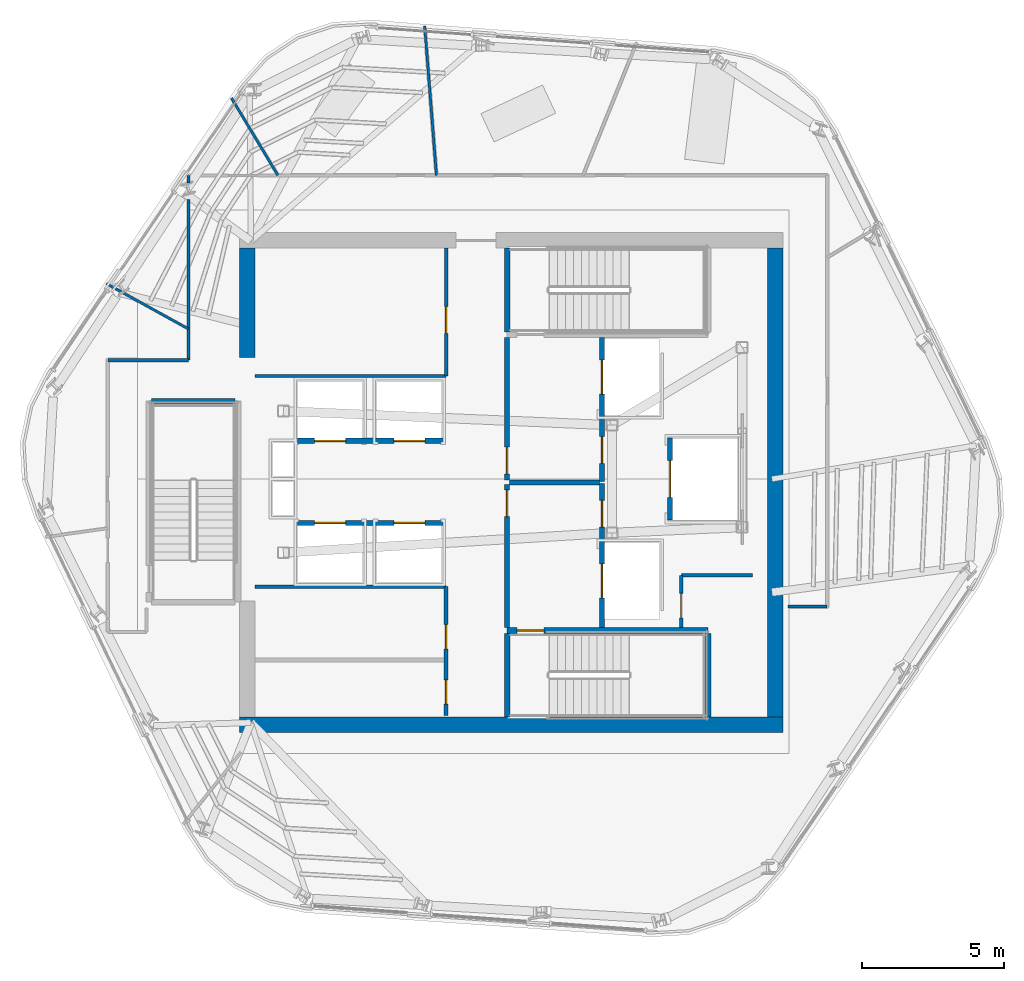
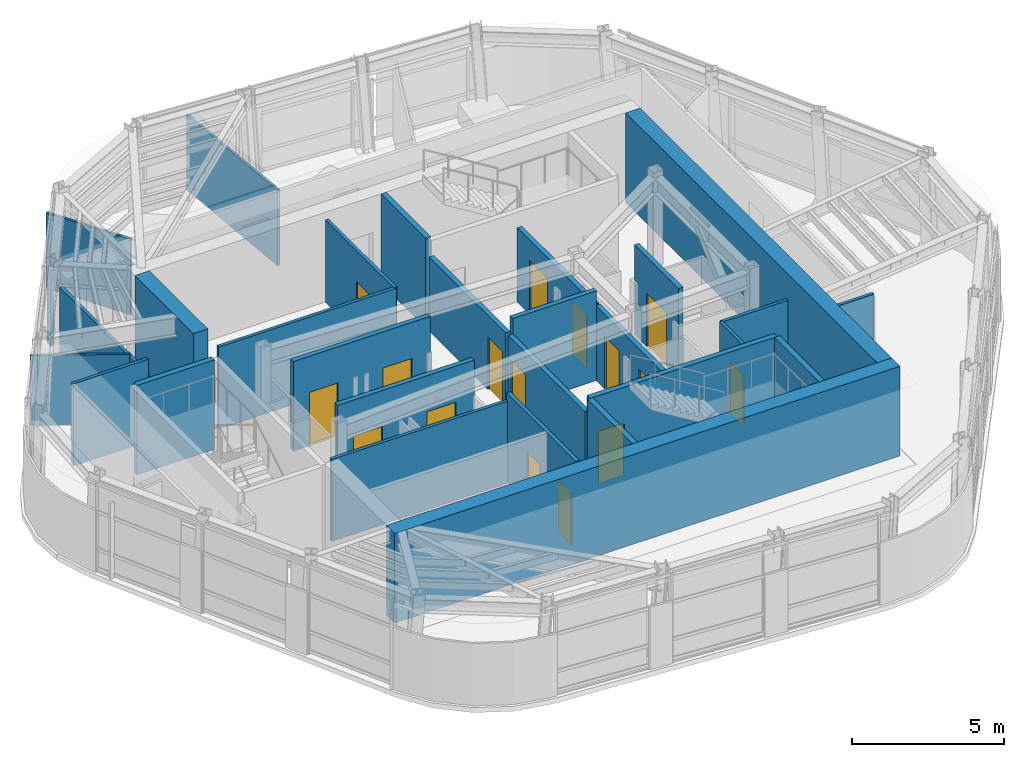
# One storey, part 6 of 11: 29 walls, 16 doors, 16 openings.
"""IFC4 building model written with IfcOpenShell, lengths in metres."""

from ifc_helpers import new_model, si_unit, direction, frame, frame_2d, origin, place, context, subcontext, project, spatial, rectangle, extrude, material, layer, layer_set, type_object, element, fill, save


model = new_model("IFC4")

# Units and contexts
model_context = context("Model", 3, precision=1e-05, world=origin(), true_north=direction((0.0, 1.0)))
body_context = subcontext(model_context, "Body", "Model", "MODEL_VIEW")
ifc_project = project(units=[si_unit("LENGTHUNIT", "METRE"), si_unit("AREAUNIT", "SQUARE_METRE"), si_unit("VOLUMEUNIT", "CUBIC_METRE"), si_unit("PLANEANGLEUNIT", "RADIAN"), si_unit("MASSUNIT", "GRAM", prefix="KILO")], contexts=[model_context])

# Site, building, storey
site_placement = place(None, origin())
site = spatial("IfcSite", under=ifc_project, at=site_placement, CompositionType="ELEMENT")
building_placement = place(site_placement, origin())
building = spatial("IfcBuilding", under=site, at=building_placement, Name="Valkerne Bourse Tower", CompositionType="ELEMENT")
storey_placement = place(building_placement, frame((0.0, 0.0, 266.0)))
storey = spatial("IfcBuildingStorey", under=building, at=storey_placement, Name="L67", CompositionType="ELEMENT", Elevation=266.0)

# Walls
ifc_material_1 = material(Name="Concrete C55/67", Category="concrete")
ifc_layer_1 = layer(ifc_material_1, 0.550048828125)
ifc_layer_set_1 = layer_set([ifc_layer_1], Name="Concrete C55/67")
wall_type_1 = type_object("IfcWallType", Name="W-CORE-550", PredefinedType="SHEAR", material=ifc_layer_set_1)
wall_1_placement = place(storey_placement, frame((37.199951171875, 18.324951171875, 0.0), z_axis=(0.0, 0.0, 1.0), x_axis=(1.0, 0.0, 0.0)))
element("IfcWall", 1, at=wall_1_placement, inside=storey, type_object=wall_type_1, Name="L67 Core Shear Wall SOUTH", PredefinedType="SHEAR", context=body_context, shape_type="SweptSolid", body=[
    extrude(rectangle(XDim=19.199951171875, YDim=0.550048828125, at=frame_2d((9.60009765625, 0.0))), origin(), (0.0, 0.0, 1.0), 3.60009765625),
])
wall_2_placement = place(storey_placement, frame((56.125, 18.60009765625, 0.0), z_axis=(0.0, 0.0, 1.0), x_axis=(0.0, 1.0, 0.0)))
element("IfcWall", 2, at=wall_2_placement, inside=storey, type_object=wall_type_1, Name="L67 Core Shear Wall EAST", PredefinedType="SHEAR", context=body_context, shape_type="SweptSolid", body=[
    extrude(rectangle(XDim=16.5498046875, YDim=0.550048828125, at=frame_2d((8.27490234375, 0.0))), origin(), (0.0, 0.0, 1.0), 3.60009765625),
])
wall_3_placement = place(storey_placement, frame((37.47509765625, 31.300048828125, 0.0), z_axis=(0.0, 0.0, 1.0), x_axis=(0.0, 1.0, 0.0)))
element("IfcWall", 3, at=wall_3_placement, inside=storey, type_object=wall_type_1, Name="L67 Core Shear Wall WEST-N", PredefinedType="SHEAR", context=body_context, shape_type="SweptSolid", body=[
    extrude(rectangle(XDim=3.849853515625, YDim=0.550048828125, at=frame_2d((1.9248046875, 0.0))), origin(), (0.0, 0.0, 1.0), 3.60009765625),
])
ifc_material_2 = material(Name="Gypsum Board Steel-Stud Partition", Category="steel")
ifc_layer_2 = layer(ifc_material_2, 0.117919921875)
ifc_layer_set_2 = layer_set([ifc_layer_2], Name="Gypsum Board Steel-Stud Partition")
wall_type_2 = type_object("IfcWallType", Name="W-CORR-140", PredefinedType="PARTITIONING", material=ifc_layer_set_2)
wall_4_placement = place(storey_placement, frame((37.75, 23.199951171875, 0.0), z_axis=(0.0, 0.0, 1.0), x_axis=(1.0, 0.0, 0.0)))
element("IfcWall", 4, at=wall_4_placement, inside=storey, type_object=wall_type_2, Name="L67 LV7 Low-Bank North Wall", PredefinedType="PARTITIONING", context=body_context, shape_type="SweptSolid", body=[
    extrude(rectangle(XDim=6.75, YDim=0.117919921875, at=frame_2d((3.375, 0.0))), origin(), (0.0, 0.0, 1.0), 3.300048828125),
])

# Wall, opening, door
wall_5_placement = place(storey_placement, frame((44.5, 30.639892578125, 0.0), z_axis=(0.0, 0.0, 1.0), x_axis=(0.0, 1.0, 0.0)))
wall_5 = element("IfcWall", 5, at=wall_5_placement, inside=storey, type_object=wall_type_2, Name="L67 LV7 Mid-Bank East Wall", PredefinedType="PARTITIONING", context=body_context, shape_type="SweptSolid", body=[
    extrude(rectangle(XDim=4.510009765625, YDim=0.117919921875, at=frame_2d((2.2548828125, 0.0))), origin(), (0.0, 0.0, 1.0), 3.300048828125),
])
opening_1_placement = place(wall_5_placement, frame((1.5, 0.0, 0.0)))
opening_1 = element("IfcOpeningElement", 6, at=opening_1_placement, cuts=wall_5, Name="Opening D-SV-950", PredefinedType="OPENING", context=body_context, shape_type="SweptSolid", body=[
    extrude(rectangle(XDim=0.949951171875, YDim=2.050048828125, at=frame_2d((0.47509765625, 1.02490234375))), frame((0.0, 0.06884765625, 0.0), z_axis=(0.0, -1.0, 0.0), x_axis=(1.0, 0.0, 0.0)), (0.0, 0.0, 1.0), 0.137939453125),
])
ifc_material_3 = material(Name="Galvanised Painted Steel", Category="steel")
door_type_1 = type_object("IfcDoorType", Name="DR-SRV-950", OperationType="NOTDEFINED", PredefinedType="DOOR", material=ifc_material_3)
door_1_placement = place(opening_1_placement, origin())
door_1 = element("IfcDoor", 7, at=door_1_placement, inside=storey, type_object=door_type_1, Name="L67 Executive Treasury Conference Door", OperationType="SINGLE_SWING_RIGHT", OverallHeight=2.050048828125, OverallWidth=0.949951171875, PredefinedType="DOOR", context=body_context, shape_type="SweptSolid", body=[
    extrude(rectangle(XDim=0.949951171875, YDim=2.050048828125, at=frame_2d((0.47509765625, 1.02490234375))), frame((0.0, 0.02490234375, 0.0), z_axis=(0.0, -1.0, 0.0), x_axis=(1.0, 0.0, 0.0)), (0.0, 0.0, 1.0), 0.050048828125),
])
fill(opening_1, door_1)

# Wall
wall_6_placement = place(storey_placement, frame((37.75, 30.639892578125, 0.0), z_axis=(0.0, 0.0, 1.0), x_axis=(1.0, 0.0, 0.0)))
element("IfcWall", 8, at=wall_6_placement, inside=storey, type_object=wall_type_2, Name="L67 LV7 Mid-Bank South Wall", PredefinedType="PARTITIONING", context=body_context, shape_type="SweptSolid", body=[
    extrude(rectangle(XDim=6.75, YDim=0.117919921875, at=frame_2d((3.375, 0.0))), origin(), (0.0, 0.0, 1.0), 3.300048828125),
])

# Wall, opening, door
wall_7_placement = place(storey_placement, frame((52.800048828125, 21.75, 0.0), z_axis=(0.0, 0.0, 1.0), x_axis=(0.0, 1.0, 0.0)))
wall_7 = element("IfcWall", 9, at=wall_7_placement, inside=storey, type_object=wall_type_2, Name="L67 Core SE South-Bay West Wall", PredefinedType="PARTITIONING", context=body_context, shape_type="SweptSolid", body=[
    extrude(rectangle(XDim=1.85009765625, YDim=0.117919921875, at=frame_2d((0.925048828125, 0.0))), origin(), (0.0, 0.0, 1.0), 3.300048828125),
])
opening_2_placement = place(wall_7_placement, frame((0.35009765625, 0.0, 0.0)))
opening_2 = element("IfcOpeningElement", 10, at=opening_2_placement, cuts=wall_7, Name="Opening D-WC-900", PredefinedType="OPENING", context=body_context, shape_type="SweptSolid", body=[
    extrude(rectangle(XDim=0.860107421875, YDim=2.050048828125, at=frame_2d((0.43017578125, 1.02490234375))), frame((0.0, 0.06884765625, 0.0), z_axis=(0.0, -1.0, 0.0), x_axis=(1.0, 0.0, 0.0)), (0.0, 0.0, 1.0), 0.137939453125),
])
ifc_material_4 = material(Name="Architectural White Oak Timber", Category="wood")
door_type_2 = type_object("IfcDoorType", Name="DR-WC-900", OperationType="NOTDEFINED", PredefinedType="DOOR", material=ifc_material_4)
door_2_placement = place(opening_2_placement, origin())
door_2 = element("IfcDoor", 11, at=door_2_placement, inside=storey, type_object=door_type_2, Name="L67 Janitor Store Door", OperationType="SINGLE_SWING_RIGHT", OverallHeight=2.050048828125, OverallWidth=0.860107421875, PredefinedType="DOOR", context=body_context, shape_type="SweptSolid", body=[
    extrude(rectangle(XDim=0.860107421875, YDim=2.050048828125, at=frame_2d((0.43017578125, 1.02490234375))), frame((0.0, 0.02490234375, 0.0), z_axis=(0.0, -1.0, 0.0), x_axis=(1.0, 0.0, 0.0)), (0.0, 0.0, 1.0), 0.050048828125),
])
fill(opening_2, door_2)

# Walls
wall_8_placement = place(storey_placement, frame((52.800048828125, 23.60009765625, 0.0), z_axis=(0.0, 0.0, 1.0), x_axis=(1.0, 0.0, 0.0)))
element("IfcWall", 12, at=wall_8_placement, inside=storey, type_object=wall_type_2, Name="L67 Core SE South-Bay North Wall", PredefinedType="PARTITIONING", context=body_context, shape_type="SweptSolid", body=[
    extrude(rectangle(XDim=2.52001953125, YDim=0.117919921875, at=frame_2d((1.260009765625, 0.0))), origin(), (0.0, 0.0, 1.0), 3.300048828125),
])
wall_9_placement = place(storey_placement, frame((35.39990234375, 31.199951171875, 0.0), z_axis=(0.0, 0.0, 1.0), x_axis=(0.0, 1.0, 0.0)))
element("IfcWall", 13, at=wall_9_placement, inside=storey, type_object=wall_type_2, Name="L67 Corridor Enclosure Wall", PredefinedType="PARTITIONING", context=body_context, shape_type="SweptSolid", body=[
    extrude(rectangle(XDim=5.6689453125, YDim=0.117919921875, at=frame_2d((2.83447265625, 0.0))), origin(), (0.0, 0.0, 1.0), 2.7314453125),
])
wall_10_placement = place(storey_placement, frame((35.39990234375, 37.452392578125, 0.0), z_axis=(0.0, 0.0, 1.0), x_axis=(0.0, 1.0, 0.0)))
element("IfcWall", 14, at=wall_10_placement, inside=storey, type_object=wall_type_2, Name="L67 Corridor Enclosure Wall", PredefinedType="PARTITIONING", context=body_context, shape_type="SweptSolid", body=[
    extrude(rectangle(XDim=0.267578125, YDim=0.117919921875, at=frame_2d((0.1337890625, 0.0))), origin(), (0.0, 0.0, 1.0), 3.0361328125),
])
wall_11_placement = place(storey_placement, frame((57.949951171875, 22.5, 0.0), z_axis=(0.0, 0.0, 1.0), x_axis=(-1.0, 0.0, 0.0)))
element("IfcWall", 15, at=wall_11_placement, inside=storey, type_object=wall_type_2, Name="L67 Corridor Enclosure Wall", PredefinedType="PARTITIONING", context=body_context, shape_type="SweptSolid", body=[
    extrude(rectangle(XDim=1.389892578125, YDim=0.117919921875, at=frame_2d((0.69482421875, 0.0))), origin(), (0.0, 0.0, 1.0), 3.300048828125),
])
wall_12_placement = place(storey_placement, frame((32.550048828125, 31.199951171875, 0.0), z_axis=(0.0, 0.0, 1.0), x_axis=(1.0, 0.0, 0.0)))
element("IfcWall", 16, at=wall_12_placement, inside=storey, type_object=wall_type_2, Name="L67 Corridor Enclosure Wall", PredefinedType="PARTITIONING", context=body_context, shape_type="SweptSolid", body=[
    extrude(rectangle(XDim=2.849853515625, YDim=0.117919921875, at=frame_2d((1.4248046875, 0.0))), origin(), (0.0, 0.0, 1.0), 3.300048828125),
])
ifc_material_5 = material(Name="Gypsum Fire-Rated Shaftwall", Category="gypsum")
ifc_layer_3 = layer(ifc_material_5, 0.179931640625)
ifc_layer_set_3 = layer_set([ifc_layer_3], Name="Gypsum Fire-Rated Shaftwall")
wall_type_3 = type_object("IfcWallType", Name="W-FSAE-180", PredefinedType="PARTITIONING", material=ifc_layer_set_3)
wall_13_placement = place(storey_placement, frame((46.739990234375, 26.8798828125, 0.0), z_axis=(0.0, 0.0, 1.0), x_axis=(1.0, 0.0, 0.0)))
element("IfcWall", 17, at=wall_13_placement, inside=storey, type_object=wall_type_3, Name="L67 FSAE-1/2 Lobby Dividing Fire Wall", PredefinedType="PARTITIONING", context=body_context, shape_type="SweptSolid", body=[
    extrude(rectangle(XDim=3.169921875, YDim=0.179931640625, at=frame_2d((1.5849609375, 0.0))), origin(), (0.0, 0.0, 1.0), 3.60009765625),
])

# Wall, opening, door
wall_14_placement = place(storey_placement, frame((46.64990234375, 21.75, 0.0), z_axis=(0.0, 0.0, 1.0), x_axis=(0.0, 1.0, 0.0)))
wall_14 = element("IfcWall", 18, at=wall_14_placement, inside=storey, type_object=wall_type_3, Name="L67 FSAE-1 Lobby West Fire Wall", PredefinedType="PARTITIONING", context=body_context, shape_type="SweptSolid", body=[
    extrude(rectangle(XDim=5.050048828125, YDim=0.179931640625, at=frame_2d((2.52490234375, 0.0))), origin(), (0.0, 0.0, 1.0), 2.977783203125),
])
opening_3_placement = place(wall_14_placement, frame((3.919921875, 0.0, 0.0)))
opening_3 = element("IfcOpeningElement", 19, at=opening_3_placement, cuts=wall_14, Name="Opening D-FS-950", PredefinedType="OPENING", context=body_context, shape_type="SweptSolid", body=[
    extrude(rectangle(XDim=0.949951171875, YDim=2.10009765625, at=frame_2d((0.47509765625, 1.050048828125))), frame((0.0, 0.099853515625, 0.0), z_axis=(0.0, -1.0, 0.0), x_axis=(1.0, 0.0, 0.0)), (0.0, 0.0, 1.0), 0.199951171875),
])
door_type_3 = type_object("IfcDoorType", Name="DR-FSAE-950", OperationType="NOTDEFINED", PredefinedType="DOOR", material=ifc_material_3)
door_3_placement = place(opening_3_placement, origin())
door_3 = element("IfcDoor", 20, at=door_3_placement, inside=storey, type_object=door_type_3, Name="L67 FSAE-1 Hall Link Fire Door", OperationType="SINGLE_SWING_LEFT", OverallHeight=2.10009765625, OverallWidth=0.949951171875, PredefinedType="DOOR", context=body_context, shape_type="SweptSolid", body=[
    extrude(rectangle(XDim=0.949951171875, YDim=2.10009765625, at=frame_2d((0.47509765625, 1.050048828125))), frame((0.0, 0.02490234375, 0.0), z_axis=(0.0, -1.0, 0.0), x_axis=(1.0, 0.0, 0.0)), (0.0, 0.0, 1.0), 0.050048828125),
])
fill(opening_3, door_3)

wall_15_placement = place(storey_placement, frame((46.64990234375, 26.9599609375, 0.0), z_axis=(0.0, 0.0, 1.0), x_axis=(0.0, 1.0, 0.0)))
wall_15 = element("IfcWall", 21, at=wall_15_placement, inside=storey, type_object=wall_type_3, Name="L67 FSAE-2 Lobby West Fire Wall", PredefinedType="PARTITIONING", context=body_context, shape_type="SweptSolid", body=[
    extrude(rectangle(XDim=5.0400390625, YDim=0.179931640625, at=frame_2d((2.52001953125, 0.0))), origin(), (0.0, 0.0, 1.0), 2.977783203125),
])
opening_4_placement = place(wall_15_placement, frame((0.219970703125, 0.0, 0.0)))
opening_4 = element("IfcOpeningElement", 22, at=opening_4_placement, cuts=wall_15, Name="Opening D-FS-950", PredefinedType="OPENING", context=body_context, shape_type="SweptSolid", body=[
    extrude(rectangle(XDim=0.949951171875, YDim=2.10009765625, at=frame_2d((0.47509765625, 1.050048828125))), frame((0.0, 0.099853515625, 0.0), z_axis=(0.0, -1.0, 0.0), x_axis=(1.0, 0.0, 0.0)), (0.0, 0.0, 1.0), 0.199951171875),
])
door_4_placement = place(opening_4_placement, origin())
door_4 = element("IfcDoor", 23, at=door_4_placement, inside=storey, type_object=door_type_3, Name="L67 FSAE-2 Hall Link Fire Door", OperationType="SINGLE_SWING_LEFT", OverallHeight=2.10009765625, OverallWidth=0.949951171875, PredefinedType="DOOR", context=body_context, shape_type="SweptSolid", body=[
    extrude(rectangle(XDim=0.949951171875, YDim=2.10009765625, at=frame_2d((0.47509765625, 1.050048828125))), frame((0.0, 0.02490234375, 0.0), z_axis=(0.0, -1.0, 0.0), x_axis=(1.0, 0.0, 0.0)), (0.0, 0.0, 1.0), 0.050048828125),
])
fill(opening_4, door_4)

# Wall, openings, doors
wall_16_placement = place(storey_placement, frame((50.0, 21.75, 0.0), z_axis=(0.0, 0.0, 1.0), x_axis=(0.0, 1.0, 0.0)))
wall_16 = element("IfcWall", 24, at=wall_16_placement, inside=storey, type_object=wall_type_3, Name="L67 FSAE-1 Lobby & Shaft Front Wall", PredefinedType="PARTITIONING", context=body_context, shape_type="SweptSolid", body=[
    extrude(rectangle(XDim=5.090087890625, YDim=0.179931640625, at=frame_2d((2.544921875, 0.0))), origin(), (0.0, 0.0, 1.0), 2.977783203125),
])
opening_5_placement = place(wall_16_placement, frame((1.050048828125, 0.0, 0.0)))
opening_5 = element("IfcOpeningElement", 25, at=opening_5_placement, cuts=wall_16, Name="Opening LD-1200", PredefinedType="OPENING", context=body_context, shape_type="SweptSolid", body=[
    extrude(rectangle(XDim=1.199951171875, YDim=2.14990234375, at=frame_2d((0.60009765625, 1.074951171875))), frame((0.0, 0.099853515625, 0.0), z_axis=(0.0, -1.0, 0.0), x_axis=(1.0, 0.0, 0.0)), (0.0, 0.0, 1.0), 0.199951171875),
])
opening_6_placement = place(wall_16_placement, frame((3.550048828125, 0.0, 0.0)))
opening_6 = element("IfcOpeningElement", 26, at=opening_6_placement, cuts=wall_16, Name="Opening D-FS-950", PredefinedType="OPENING", context=body_context, shape_type="SweptSolid", body=[
    extrude(rectangle(XDim=0.949951171875, YDim=2.10009765625, at=frame_2d((0.47509765625, 1.050048828125))), frame((0.0, 0.099853515625, 0.0), z_axis=(0.0, -1.0, 0.0), x_axis=(1.0, 0.0, 0.0)), (0.0, 0.0, 1.0), 0.199951171875),
])
door_5_placement = place(opening_6_placement, origin())
door_5 = element("IfcDoor", 27, at=door_5_placement, inside=storey, type_object=door_type_3, Name="L67 FSAE-1 Lobby Corridor Fire Door", OperationType="SINGLE_SWING_LEFT", OverallHeight=2.10009765625, OverallWidth=0.949951171875, PredefinedType="DOOR", context=body_context, shape_type="SweptSolid", body=[
    extrude(rectangle(XDim=0.949951171875, YDim=2.10009765625, at=frame_2d((0.47509765625, 1.050048828125))), frame((0.0, 0.02490234375, 0.0), z_axis=(0.0, -1.0, 0.0), x_axis=(1.0, 0.0, 0.0)), (0.0, 0.0, 1.0), 0.050048828125),
])
fill(opening_6, door_5)
ifc_material_6 = material(Name="Stainless Steel AISI 316", Category="steel")
door_type_4 = type_object("IfcDoorType", Name="DR-LIFT-1200", OperationType="DOUBLE_DOOR_SLIDING", PredefinedType="DOOR", material=ifc_material_6)
door_6_placement = place(opening_5_placement, origin())
door_6 = element("IfcDoor", 28, at=door_6_placement, inside=storey, type_object=door_type_4, Name="L67 FSAE-1 Firefighting Lift Landing Door", OperationType="DOUBLE_DOOR_SLIDING", OverallHeight=2.14990234375, OverallWidth=1.199951171875, PredefinedType="DOOR", context=body_context, shape_type="SweptSolid", body=[
    extrude(rectangle(XDim=1.199951171875, YDim=2.14990234375, at=frame_2d((0.60009765625, 1.074951171875))), frame((0.0, 0.02490234375, 0.0), z_axis=(0.0, -1.0, 0.0), x_axis=(1.0, 0.0, 0.0)), (0.0, 0.0, 1.0), 0.050048828125),
])
fill(opening_5, door_6)

wall_17_placement = place(storey_placement, frame((50.0, 26.919921875, 0.0), z_axis=(0.0, 0.0, 1.0), x_axis=(0.0, 1.0, 0.0)))
wall_17 = element("IfcWall", 29, at=wall_17_placement, inside=storey, type_object=wall_type_3, Name="L67 FSAE-2 Lobby & Shaft Front Wall", PredefinedType="PARTITIONING", context=body_context, shape_type="SweptSolid", body=[
    extrude(rectangle(XDim=5.080078125, YDim=0.179931640625, at=frame_2d((2.5400390625, 0.0))), origin(), (0.0, 0.0, 1.0), 2.977783203125),
])
opening_7_placement = place(wall_17_placement, frame((3.080078125, 0.0, 0.0)))
opening_7 = element("IfcOpeningElement", 30, at=opening_7_placement, cuts=wall_17, Name="Opening LD-1200", PredefinedType="OPENING", context=body_context, shape_type="SweptSolid", body=[
    extrude(rectangle(XDim=1.199951171875, YDim=2.14990234375, at=frame_2d((0.60009765625, 1.074951171875))), frame((0.0, 0.099853515625, 0.0), z_axis=(0.0, -1.0, 0.0), x_axis=(1.0, 0.0, 0.0)), (0.0, 0.0, 1.0), 0.199951171875),
])
opening_8_placement = place(wall_17_placement, frame((0.6298828125, 0.0, 0.0)))
opening_8 = element("IfcOpeningElement", 31, at=opening_8_placement, cuts=wall_17, Name="Opening D-FS-950", PredefinedType="OPENING", context=body_context, shape_type="SweptSolid", body=[
    extrude(rectangle(XDim=0.949951171875, YDim=2.10009765625, at=frame_2d((0.47509765625, 1.050048828125))), frame((0.0, 0.099853515625, 0.0), z_axis=(0.0, -1.0, 0.0), x_axis=(1.0, 0.0, 0.0)), (0.0, 0.0, 1.0), 0.199951171875),
])
door_7_placement = place(opening_8_placement, origin())
door_7 = element("IfcDoor", 32, at=door_7_placement, inside=storey, type_object=door_type_3, Name="L67 FSAE-2 Lobby Corridor Fire Door", OperationType="SINGLE_SWING_RIGHT", OverallHeight=2.10009765625, OverallWidth=0.949951171875, PredefinedType="DOOR", context=body_context, shape_type="SweptSolid", body=[
    extrude(rectangle(XDim=0.949951171875, YDim=2.10009765625, at=frame_2d((0.47509765625, 1.050048828125))), frame((0.0, 0.02490234375, 0.0), z_axis=(0.0, -1.0, 0.0), x_axis=(1.0, 0.0, 0.0)), (0.0, 0.0, 1.0), 0.050048828125),
])
fill(opening_8, door_7)
door_8_placement = place(opening_7_placement, origin())
door_8 = element("IfcDoor", 33, at=door_8_placement, inside=storey, type_object=door_type_4, Name="L67 FSAE-2 Firefighting Lift Landing Door", OperationType="DOUBLE_DOOR_SLIDING", OverallHeight=2.14990234375, OverallWidth=1.199951171875, PredefinedType="DOOR", context=body_context, shape_type="SweptSolid", body=[
    extrude(rectangle(XDim=1.199951171875, YDim=2.14990234375, at=frame_2d((0.60009765625, 1.074951171875))), frame((0.0, 0.02490234375, 0.0), z_axis=(0.0, -1.0, 0.0), x_axis=(1.0, 0.0, 0.0)), (0.0, 0.0, 1.0), 0.050048828125),
])
fill(opening_7, door_8)

# Wall, opening, door
ifc_material_7 = material(Name="CMU Blockwork Masonry 200mm", Category="masonry")
ifc_layer_4 = layer(ifc_material_7, 0.179931640625)
ifc_layer_set_4 = layer_set([ifc_layer_4], Name="CMU Blockwork Masonry 200mm")
wall_type_4 = type_object("IfcWallType", Name="W-LFT-180", PredefinedType="SOLIDWALL", material=ifc_layer_set_4)
wall_18_placement = place(storey_placement, frame((52.39990234375, 25.550048828125, 0.0), z_axis=(0.0, 0.0, 1.0), x_axis=(0.0, 1.0, 0.0)))
wall_18 = element("IfcWall", 34, at=wall_18_placement, inside=storey, type_object=wall_type_4, Name="L67 Service Lift SV-1 Front Wall", PredefinedType="SOLIDWALL", context=body_context, shape_type="SweptSolid", body=[
    extrude(rectangle(XDim=2.89990234375, YDim=0.179931640625, at=frame_2d((1.449951171875, 0.0))), origin(), (0.0, 0.0, 1.0), 3.60009765625),
])
opening_9_placement = place(wall_18_placement, frame((0.800048828125, 0.0, 0.0)))
opening_9 = element("IfcOpeningElement", 35, at=opening_9_placement, cuts=wall_18, Name="Opening LD-1300", PredefinedType="OPENING", context=body_context, shape_type="SweptSolid", body=[
    extrude(rectangle(XDim=1.300048828125, YDim=2.14990234375, at=frame_2d((0.64990234375, 1.074951171875))), frame((0.0, 0.099853515625, 0.0), z_axis=(0.0, -1.0, 0.0), x_axis=(1.0, 0.0, 0.0)), (0.0, 0.0, 1.0), 0.199951171875),
])
door_type_5 = type_object("IfcDoorType", Name="DR-LIFT-1300", OperationType="DOUBLE_DOOR_SLIDING", PredefinedType="DOOR", material=ifc_material_6)
door_9_placement = place(opening_9_placement, origin())
door_9 = element("IfcDoor", 36, at=door_9_placement, inside=storey, type_object=door_type_5, Name="L67 Service Lift SV-1 Landing Door", OperationType="DOUBLE_DOOR_SLIDING", OverallHeight=2.14990234375, OverallWidth=1.300048828125, PredefinedType="DOOR", context=body_context, shape_type="SweptSolid", body=[
    extrude(rectangle(XDim=1.300048828125, YDim=2.14990234375, at=frame_2d((0.64990234375, 1.074951171875))), frame((0.0, 0.02490234375, 0.0), z_axis=(0.0, -1.0, 0.0), x_axis=(1.0, 0.0, 0.0)), (0.0, 0.0, 1.0), 0.050048828125),
])
fill(opening_9, door_9)

# Wall, openings, doors
wall_19_placement = place(storey_placement, frame((39.25, 25.449951171875, 0.0), z_axis=(0.0, 0.0, 1.0), x_axis=(1.0, 0.0, 0.0)))
wall_19 = element("IfcWall", 37, at=wall_19_placement, inside=storey, type_object=wall_type_4, Name="L67 High-Zone South Cars Front Wall", PredefinedType="SOLIDWALL", context=body_context, shape_type="SweptSolid", body=[
    extrude(rectangle(XDim=5.199951171875, YDim=0.179931640625, at=frame_2d((2.60009765625, 0.0))), origin(), (0.0, 0.0, 1.0), 3.60009765625),
])
opening_10_placement = place(wall_19_placement, frame((0.60009765625, 0.0, 0.0)))
opening_10 = element("IfcOpeningElement", 38, at=opening_10_placement, cuts=wall_19, Name="Opening LD-1100", PredefinedType="OPENING", context=body_context, shape_type="SweptSolid", body=[
    extrude(rectangle(XDim=1.10009765625, YDim=2.14990234375, at=frame_2d((0.550048828125, 1.074951171875))), frame((0.0, 0.099853515625, 0.0), z_axis=(0.0, -1.0, 0.0), x_axis=(1.0, 0.0, 0.0)), (0.0, 0.0, 1.0), 0.199951171875),
])
opening_11_placement = place(wall_19_placement, frame((3.39990234375, 0.0, 0.0)))
opening_11 = element("IfcOpeningElement", 39, at=opening_11_placement, cuts=wall_19, Name="Opening LD-1100", PredefinedType="OPENING", context=body_context, shape_type="SweptSolid", body=[
    extrude(rectangle(XDim=1.10009765625, YDim=2.14990234375, at=frame_2d((0.550048828125, 1.074951171875))), frame((0.0, 0.099853515625, 0.0), z_axis=(0.0, -1.0, 0.0), x_axis=(1.0, 0.0, 0.0)), (0.0, 0.0, 1.0), 0.199951171875),
])
door_type_6 = type_object("IfcDoorType", Name="DR-LIFT-1100", OperationType="DOUBLE_DOOR_SLIDING", PredefinedType="DOOR", material=ifc_material_6)
door_10_placement = place(opening_10_placement, origin())
door_10 = element("IfcDoor", 40, at=door_10_placement, inside=storey, type_object=door_type_6, Name="L67 Passenger Lift PL-H1 Sliding Landing Door", OperationType="DOUBLE_DOOR_SLIDING", OverallHeight=2.14990234375, OverallWidth=1.10009765625, PredefinedType="DOOR", context=body_context, shape_type="SweptSolid", body=[
    extrude(rectangle(XDim=1.10009765625, YDim=2.14990234375, at=frame_2d((0.550048828125, 1.074951171875))), frame((0.0, 0.02490234375, 0.0), z_axis=(0.0, -1.0, 0.0), x_axis=(1.0, 0.0, 0.0)), (0.0, 0.0, 1.0), 0.050048828125),
])
fill(opening_10, door_10)
door_11_placement = place(opening_11_placement, origin())
door_11 = element("IfcDoor", 41, at=door_11_placement, inside=storey, type_object=door_type_6, Name="L67 Passenger Lift PL-H2 Sliding Landing Door", OperationType="DOUBLE_DOOR_SLIDING", OverallHeight=2.14990234375, OverallWidth=1.10009765625, PredefinedType="DOOR", context=body_context, shape_type="SweptSolid", body=[
    extrude(rectangle(XDim=1.10009765625, YDim=2.14990234375, at=frame_2d((0.550048828125, 1.074951171875))), frame((0.0, 0.02490234375, 0.0), z_axis=(0.0, -1.0, 0.0), x_axis=(1.0, 0.0, 0.0)), (0.0, 0.0, 1.0), 0.050048828125),
])
fill(opening_11, door_11)

wall_20_placement = place(storey_placement, frame((39.25, 28.35009765625, 0.0), z_axis=(0.0, 0.0, 1.0), x_axis=(1.0, 0.0, 0.0)))
wall_20 = element("IfcWall", 42, at=wall_20_placement, inside=storey, type_object=wall_type_4, Name="L67 High-Zone North Cars Front Wall", PredefinedType="SOLIDWALL", context=body_context, shape_type="SweptSolid", body=[
    extrude(rectangle(XDim=5.199951171875, YDim=0.179931640625, at=frame_2d((2.60009765625, 0.0))), origin(), (0.0, 0.0, 1.0), 3.60009765625),
])
opening_12_placement = place(wall_20_placement, frame((0.60009765625, 0.0, 0.0)))
opening_12 = element("IfcOpeningElement", 43, at=opening_12_placement, cuts=wall_20, Name="Opening LD-1100", PredefinedType="OPENING", context=body_context, shape_type="SweptSolid", body=[
    extrude(rectangle(XDim=1.10009765625, YDim=2.14990234375, at=frame_2d((0.550048828125, 1.074951171875))), frame((0.0, 0.099853515625, 0.0), z_axis=(0.0, -1.0, 0.0), x_axis=(1.0, 0.0, 0.0)), (0.0, 0.0, 1.0), 0.199951171875),
])
opening_13_placement = place(wall_20_placement, frame((3.39990234375, 0.0, 0.0)))
opening_13 = element("IfcOpeningElement", 44, at=opening_13_placement, cuts=wall_20, Name="Opening LD-1100", PredefinedType="OPENING", context=body_context, shape_type="SweptSolid", body=[
    extrude(rectangle(XDim=1.10009765625, YDim=2.14990234375, at=frame_2d((0.550048828125, 1.074951171875))), frame((0.0, 0.099853515625, 0.0), z_axis=(0.0, -1.0, 0.0), x_axis=(1.0, 0.0, 0.0)), (0.0, 0.0, 1.0), 0.199951171875),
])
door_12_placement = place(opening_12_placement, origin())
door_12 = element("IfcDoor", 45, at=door_12_placement, inside=storey, type_object=door_type_6, Name="L67 Passenger Lift PL-H3 Sliding Landing Door", OperationType="DOUBLE_DOOR_SLIDING", OverallHeight=2.14990234375, OverallWidth=1.10009765625, PredefinedType="DOOR", context=body_context, shape_type="SweptSolid", body=[
    extrude(rectangle(XDim=1.10009765625, YDim=2.14990234375, at=frame_2d((0.550048828125, 1.074951171875))), frame((0.0, 0.02490234375, 0.0), z_axis=(0.0, -1.0, 0.0), x_axis=(1.0, 0.0, 0.0)), (0.0, 0.0, 1.0), 0.050048828125),
])
fill(opening_12, door_12)
door_13_placement = place(opening_13_placement, origin())
door_13 = element("IfcDoor", 46, at=door_13_placement, inside=storey, type_object=door_type_6, Name="L67 Passenger Lift PL-H4 Sliding Landing Door", OperationType="DOUBLE_DOOR_SLIDING", OverallHeight=2.14990234375, OverallWidth=1.10009765625, PredefinedType="DOOR", context=body_context, shape_type="SweptSolid", body=[
    extrude(rectangle(XDim=1.10009765625, YDim=2.14990234375, at=frame_2d((0.550048828125, 1.074951171875))), frame((0.0, 0.02490234375, 0.0), z_axis=(0.0, -1.0, 0.0), x_axis=(1.0, 0.0, 0.0)), (0.0, 0.0, 1.0), 0.050048828125),
])
fill(opening_13, door_13)

# Walls
ifc_layer_5 = layer(ifc_material_2, 0.092041015625)
ifc_layer_set_5 = layer_set([ifc_layer_5], Name="Gypsum Board Steel-Stud Partition")
wall_type_5 = type_object("IfcWallType", Name="W-PART-115", PredefinedType="PARTITIONING", material=ifc_layer_set_5)
wall_21_placement = place(storey_placement, frame((44.156005859375, 37.72509765625, 0.0), z_axis=(0.0, 0.0, 1.0), x_axis=(-0.078498276391, 0.996914249373, 0.0)))
element("IfcWall", 47, at=wall_21_placement, inside=storey, type_object=wall_type_5, Name="L67 Suite Partition P02", PredefinedType="PARTITIONING", context=body_context, shape_type="SweptSolid", body=[
    extrude(rectangle(XDim=5.2841796875, YDim=0.092041015625, at=frame_2d((2.64208984375, 0.0))), origin(), (0.0, 0.0, 1.0), 3.0361328125),
])
wall_22_placement = place(storey_placement, frame((38.555908203125, 37.72509765625, 0.0), z_axis=(0.0, 0.0, 1.0), x_axis=(-0.51508343836, 0.857140041957, 0.0)))
element("IfcWall", 48, at=wall_22_placement, inside=storey, type_object=wall_type_5, Name="L67 Suite Partition P03", PredefinedType="PARTITIONING", context=body_context, shape_type="SweptSolid", body=[
    extrude(rectangle(XDim=3.17626953125, YDim=0.092041015625, at=frame_2d((1.588134765625, 0.0))), origin(), (0.0, 0.0, 1.0), 3.0361328125),
])
wall_23_placement = place(storey_placement, frame((35.39501953125, 32.302734375, 0.0), z_axis=(0.0, 0.0, 1.0), x_axis=(-0.875467761117, 0.483276524616, 0.0)))
element("IfcWall", 49, at=wall_23_placement, inside=storey, type_object=wall_type_5, Name="L67 Suite Partition P04", PredefinedType="PARTITIONING", context=body_context, shape_type="SweptSolid", body=[
    extrude(rectangle(XDim=3.304931640625, YDim=0.092041015625, at=frame_2d((1.65234375, 0.0))), origin(), (0.0, 0.0, 1.0), 2.8203125),
])

# Wall, opening, door
ifc_material_8 = material(Name="Concrete C40/50", Category="concrete")
ifc_layer_6 = layer(ifc_material_8, 0.199951171875)
ifc_layer_set_6 = layer_set([ifc_layer_6], Name="Concrete C40/50")
wall_type_6 = type_object("IfcWallType", Name="W-SHF-200", PredefinedType="SHEAR", material=ifc_layer_set_6)
wall_24_placement = place(storey_placement, frame((46.64990234375, 21.64990234375, 0.0), z_axis=(0.0, 0.0, 1.0), x_axis=(1.0, 0.0, 0.0)))
wall_24 = element("IfcWall", 50, at=wall_24_placement, inside=storey, type_object=wall_type_6, Name="L67 Exit Stair ST-1 Structural Shaft Wall North", PredefinedType="SHEAR", context=body_context, shape_type="SweptSolid", body=[
    extrude(rectangle(XDim=7.10009765625, YDim=0.199951171875, at=frame_2d((3.550048828125, 0.0))), origin(), (0.0, 0.0, 1.0), 3.60009765625),
])
opening_14_placement = place(wall_24_placement, frame((0.35009765625, 0.0, 0.0)))
opening_14 = element("IfcOpeningElement", 51, at=opening_14_placement, cuts=wall_24, Name="Opening D-ST-950", PredefinedType="OPENING", context=body_context, shape_type="SweptSolid", body=[
    extrude(rectangle(XDim=0.949951171875, YDim=2.10009765625, at=frame_2d((0.47509765625, 1.050048828125))), frame((0.0, 0.10986328125, 0.0), z_axis=(0.0, -1.0, 0.0), x_axis=(1.0, 0.0, 0.0)), (0.0, 0.0, 1.0), 0.219970703125),
])
door_type_7 = type_object("IfcDoorType", Name="DR-STAIR-950", OperationType="NOTDEFINED", PredefinedType="DOOR", material=ifc_material_3)
door_14_placement = place(opening_14_placement, origin())
door_14 = element("IfcDoor", 52, at=door_14_placement, inside=storey, type_object=door_type_7, Name="L67 Exit Stair ST-1 Door", OperationType="SINGLE_SWING_LEFT", OverallHeight=2.10009765625, OverallWidth=0.949951171875, PredefinedType="DOOR", context=body_context, shape_type="SweptSolid", body=[
    extrude(rectangle(XDim=0.949951171875, YDim=2.10009765625, at=frame_2d((0.47509765625, 1.050048828125))), frame((0.0, 0.02490234375, 0.0), z_axis=(0.0, -1.0, 0.0), x_axis=(1.0, 0.0, 0.0)), (0.0, 0.0, 1.0), 0.050048828125),
])
fill(opening_14, door_14)

# Walls
for number, where, z_axis, x_axis, name in (
    (53, (46.64990234375, 18.60009765625, 0.0), (0.0, 0.0, 1.0), (0.0, 1.0, 0.0), "L67 Exit Stair ST-1 Structural Shaft Wall West"),
    (54, (53.75, 18.60009765625, 0.0), (0.0, 0.0, 1.0), (0.0, 1.0, 0.0), "L67 Exit Stair ST-1 Structural Shaft Wall East"),
    (55, (46.64990234375, 32.199951171875, 0.0), (0.0, 0.0, 1.0), (0.0, 1.0, 0.0), "L67 Exit Stair ST-2 Structural Shaft Wall West"),
    (56, (34.10009765625, 29.75, 0.0), (0.0, 0.0, 1.0), (1.0, 0.0, 0.0), "L67 Exit Stair ST-3 Structural Shaft Wall North"),
):
    element("IfcWall", number, at=place(storey_placement, frame(where, z_axis=z_axis, x_axis=x_axis)), inside=storey, type_object=wall_type_6, Name=name, PredefinedType="SHEAR", context=body_context, shape_type="SweptSolid", body=[
        extrude(rectangle(XDim=2.949951171875, YDim=0.199951171875, at=frame_2d((1.47509765625, 0.0))), origin(), (0.0, 0.0, 1.0), 3.60009765625),
    ])

# Wall, openings, doors
ifc_material_9 = material(Name="Moisture-Resistant Gypsum Partition", Category="gypsum")
ifc_layer_7 = layer(ifc_material_9, 0.139892578125)
ifc_layer_set_7 = layer_set([ifc_layer_7], Name="Moisture-Resistant Gypsum Partition")
wall_type_7 = type_object("IfcWallType", Name="W-WET-140", PredefinedType="PARTITIONING", material=ifc_layer_set_7)
wall_25_placement = place(storey_placement, frame((44.5, 18.64990234375, 0.0), z_axis=(0.0, 0.0, 1.0), x_axis=(0.0, 1.0, 0.0)))
wall_25 = element("IfcWall", 57, at=wall_25_placement, inside=storey, type_object=wall_type_7, Name="L67 LV7 Low-Bank East Wall", PredefinedType="PARTITIONING", context=body_context, shape_type="SweptSolid", body=[
    extrude(rectangle(XDim=4.550048828125, YDim=0.139892578125, at=frame_2d((2.27490234375, 0.0))), origin(), (0.0, 0.0, 1.0), 3.60009765625),
])
opening_15_placement = place(wall_25_placement, frame((0.39990234375, 0.0, 0.0)))
opening_15 = element("IfcOpeningElement", 58, at=opening_15_placement, cuts=wall_25, Name="Opening D-WC-900", PredefinedType="OPENING", context=body_context, shape_type="SweptSolid", body=[
    extrude(rectangle(XDim=0.860107421875, YDim=2.050048828125, at=frame_2d((0.43017578125, 1.02490234375))), frame((0.0, 0.079833984375, 0.0), z_axis=(0.0, -1.0, 0.0), x_axis=(1.0, 0.0, 0.0)), (0.0, 0.0, 1.0), 0.159912109375),
])
opening_16_placement = place(wall_25_placement, frame((2.35009765625, 0.0, 0.0)))
opening_16 = element("IfcOpeningElement", 59, at=opening_16_placement, cuts=wall_25, Name="Opening D-WC-900", PredefinedType="OPENING", context=body_context, shape_type="SweptSolid", body=[
    extrude(rectangle(XDim=0.860107421875, YDim=2.050048828125, at=frame_2d((0.43017578125, 1.02490234375))), frame((0.0, 0.079833984375, 0.0), z_axis=(0.0, -1.0, 0.0), x_axis=(1.0, 0.0, 0.0)), (0.0, 0.0, 1.0), 0.159912109375),
])
door_15_placement = place(opening_15_placement, origin())
door_15 = element("IfcDoor", 60, at=door_15_placement, inside=storey, type_object=door_type_2, Name="L67 Beverage Kitchen Door", OperationType="SINGLE_SWING_RIGHT", OverallHeight=2.050048828125, OverallWidth=0.860107421875, PredefinedType="DOOR", context=body_context, shape_type="SweptSolid", body=[
    extrude(rectangle(XDim=0.860107421875, YDim=2.050048828125, at=frame_2d((0.43017578125, 1.02490234375))), frame((0.0, 0.02490234375, 0.0), z_axis=(0.0, -1.0, 0.0), x_axis=(1.0, 0.0, 0.0)), (0.0, 0.0, 1.0), 0.050048828125),
])
fill(opening_15, door_15)
door_16_placement = place(opening_16_placement, origin())
door_16 = element("IfcDoor", 61, at=door_16_placement, inside=storey, type_object=door_type_2, Name="L67 Compliance Briefing Office Door", OperationType="SINGLE_SWING_RIGHT", OverallHeight=2.050048828125, OverallWidth=0.860107421875, PredefinedType="DOOR", context=body_context, shape_type="SweptSolid", body=[
    extrude(rectangle(XDim=0.860107421875, YDim=2.050048828125, at=frame_2d((0.43017578125, 1.02490234375))), frame((0.0, 0.02490234375, 0.0), z_axis=(0.0, -1.0, 0.0), x_axis=(1.0, 0.0, 0.0)), (0.0, 0.0, 1.0), 0.050048828125),
])
fill(opening_16, door_16)

save(model, "model.ifc")
